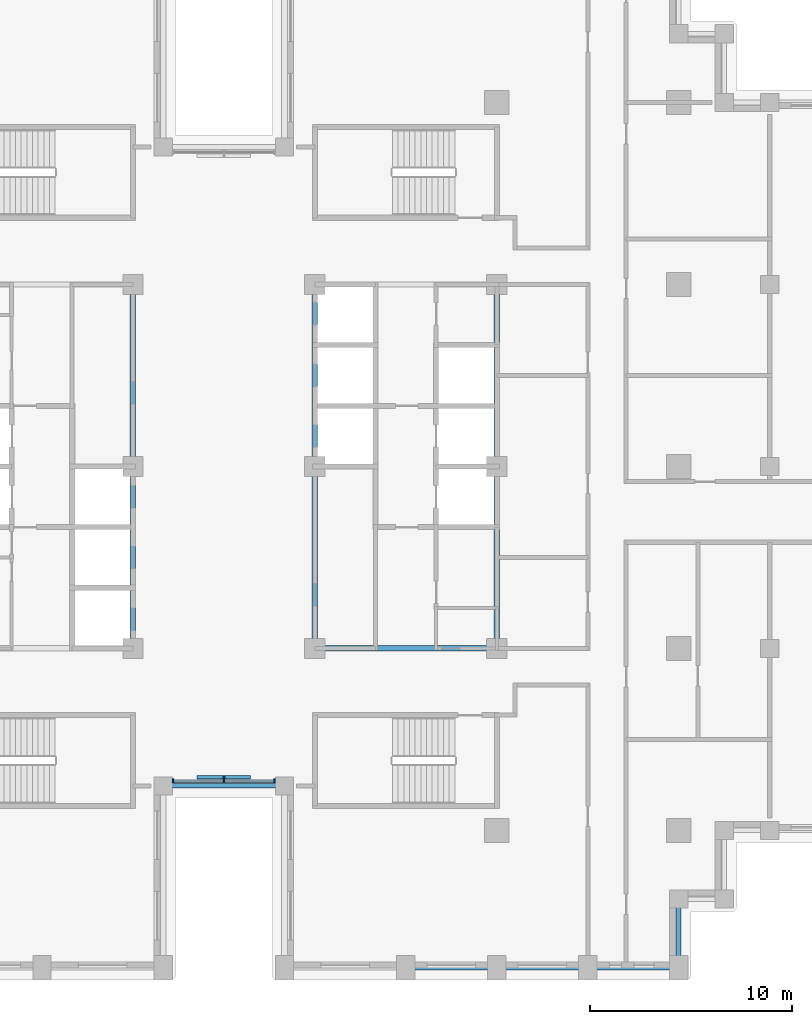
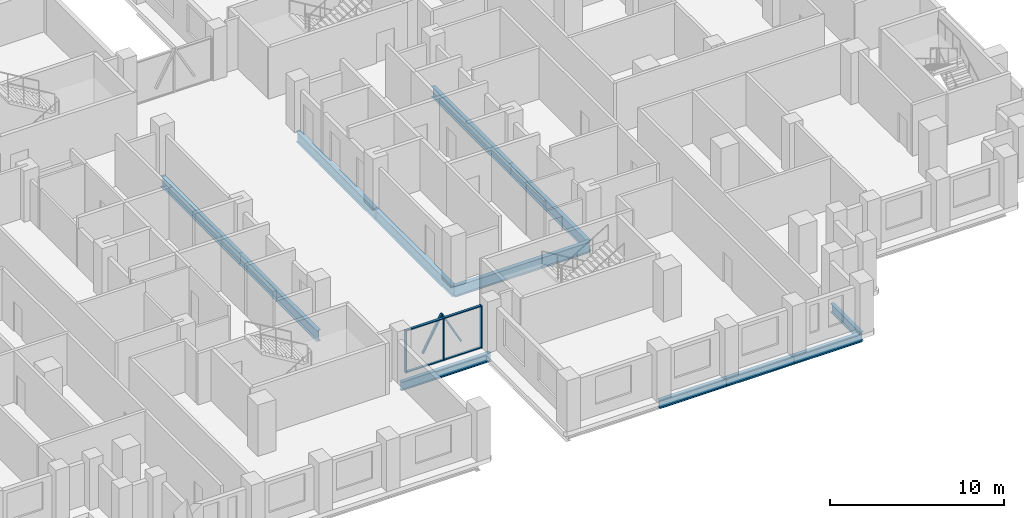
# One storey, part 2 of 16: 12 beams, 9 members, 1 element without a shape of its own.
"""IFC4 building model written with IfcOpenShell, lengths in metres."""

from ifc_helpers import new_model, si_unit, direction, frame, origin, origin_2d, place, context, subcontext, project, spatial, rectangle, i_section, extrude, material, layer, layer_set, material_profile, profile_set, type_object, element, aggregate, save


model = new_model("IFC4")

# Units and contexts
model_context = context("Model", 3, precision=1e-05, world=origin(), true_north=direction((0.0, 1.0)))
body_context = subcontext(model_context, "Body", "Model", "MODEL_VIEW")
ifc_project = project(units=[si_unit("LENGTHUNIT", "METRE"), si_unit("AREAUNIT", "SQUARE_METRE"), si_unit("VOLUMEUNIT", "CUBIC_METRE"), si_unit("PLANEANGLEUNIT", "RADIAN"), si_unit("MASSUNIT", "GRAM", prefix="KILO")], contexts=[model_context])

# Site, building, storey
site_placement = place(None, origin())
site = spatial("IfcSite", under=ifc_project, at=site_placement, CompositionType="ELEMENT")
building_placement = place(site_placement, origin())
building = spatial("IfcBuilding", under=site, at=building_placement, Name="Corbelhall Arena Tower", CompositionType="ELEMENT")
storey_placement = place(building_placement, frame((0.0, 0.0, 116.0)))
storey = spatial("IfcBuildingStorey", under=building, at=storey_placement, Name="L21", CompositionType="ELEMENT", Elevation=116.0)

# Curtain wall, members
ifc_material_1 = material(Name="Aluminium black anodised", Category="aluminium")
ifc_layer = layer(ifc_material_1, 0.199951171875)
ifc_layer_set = layer_set([ifc_layer], Name="EV-CW1 Slot back wall")
curtain_wall_type = type_object("IfcCurtainWallType", Name="EV-CW1 Slot back wall", PredefinedType="NOTDEFINED", material=ifc_layer_set)
curtain_wall_placement = place(storey_placement, origin())
curtain_wall = element("IfcCurtainWall", 1, at=curtain_wall_placement, inside=storey, type_object=curtain_wall_type, Name="Curtain wall CW1", PredefinedType="NOTDEFINED")
ifc_material_profile_1 = material_profile(ifc_material_1, rectangle(XDim=0.199951171875, YDim=0.074951171875, at=origin_2d()))
ifc_profile_set_1 = profile_set([ifc_material_profile_1], Name="Aluminium black anodised")
member_type_1 = type_object("IfcMemberType", Name="EV-CW1-MULLION", PredefinedType="MULLION", material=ifc_profile_set_1)
member_1_placement = place(storey_placement, frame((-2.512451171875, -15.550048828125, 0.0), z_axis=(0.0, 0.0, 1.0), x_axis=(0.0, 1.0, 0.0)))
member_1 = element("IfcMember", 2, at=member_1_placement, type_object=member_type_1, Name="CW1 mullion 1", PredefinedType="MULLION", context=body_context, shape_type="SweptSolid", body=[
    extrude(rectangle(XDim=0.199951171875, YDim=0.074951171875, at=origin_2d()), origin(), (0.0, 0.0, 1.0), 2.99951171875),
])
member_2_placement = place(storey_placement, frame((0.0, -15.550048828125, 0.0), z_axis=(0.0, 0.0, 1.0), x_axis=(0.0, 1.0, 0.0)))
member_2 = element("IfcMember", 3, at=member_2_placement, type_object=member_type_1, Name="CW1 mullion 2", PredefinedType="MULLION", context=body_context, shape_type="SweptSolid", body=[
    extrude(rectangle(XDim=0.199951171875, YDim=0.074951171875, at=origin_2d()), origin(), (0.0, 0.0, 1.0), 2.99951171875),
])
member_3_placement = place(storey_placement, frame((2.512451171875, -15.550048828125, 0.0), z_axis=(0.0, 0.0, 1.0), x_axis=(0.0, 1.0, 0.0)))
member_3 = element("IfcMember", 4, at=member_3_placement, type_object=member_type_1, Name="CW1 mullion 3", PredefinedType="MULLION", context=body_context, shape_type="SweptSolid", body=[
    extrude(rectangle(XDim=0.199951171875, YDim=0.074951171875, at=origin_2d()), origin(), (0.0, 0.0, 1.0), 2.99951171875),
])
ifc_material_profile_2 = material_profile(ifc_material_1, rectangle(XDim=0.14990234375, YDim=0.074951171875, at=origin_2d()))
ifc_profile_set_2 = profile_set([ifc_material_profile_2], Name="Aluminium black anodised")
member_type_2 = type_object("IfcMemberType", Name="EV-CW1-TRANSOM", PredefinedType="USERDEFINED", material=ifc_profile_set_2)
member_4_placement = place(storey_placement, frame((-2.47509765625, -15.550048828125, 0.03759765625), z_axis=(1.0, 0.0, 0.0), x_axis=(0.0, 1.0, 0.0)))
member_4 = element("IfcMember", 5, at=member_4_placement, type_object=member_type_2, Name="CW1 transom 1.1", ObjectType="transom", PredefinedType="USERDEFINED", context=body_context, shape_type="SweptSolid", body=[
    extrude(rectangle(XDim=0.14990234375, YDim=0.074951171875, at=origin_2d()), origin(), (0.0, 0.0, 1.0), 2.4375),
])
member_5_placement = place(storey_placement, frame((-2.47509765625, -15.550048828125, 2.962158203125), z_axis=(1.0, 0.0, 0.0), x_axis=(0.0, 1.0, 0.0)))
member_5 = element("IfcMember", 6, at=member_5_placement, type_object=member_type_2, Name="CW1 transom 1.2", ObjectType="transom", PredefinedType="USERDEFINED", context=body_context, shape_type="SweptSolid", body=[
    extrude(rectangle(XDim=0.14990234375, YDim=0.074951171875, at=origin_2d()), origin(), (0.0, 0.0, 1.0), 2.4375),
])
member_6_placement = place(storey_placement, frame((0.03759765625, -15.550048828125, 0.03759765625), z_axis=(1.0, 0.0, 0.0), x_axis=(0.0, 1.0, 0.0)))
member_6 = element("IfcMember", 7, at=member_6_placement, type_object=member_type_2, Name="CW1 transom 2.1", ObjectType="transom", PredefinedType="USERDEFINED", context=body_context, shape_type="SweptSolid", body=[
    extrude(rectangle(XDim=0.14990234375, YDim=0.074951171875, at=origin_2d()), origin(), (0.0, 0.0, 1.0), 2.4375),
])
member_7_placement = place(storey_placement, frame((0.03759765625, -15.550048828125, 2.962158203125), z_axis=(1.0, 0.0, 0.0), x_axis=(0.0, 1.0, 0.0)))
member_7 = element("IfcMember", 8, at=member_7_placement, type_object=member_type_2, Name="CW1 transom 2.2", ObjectType="transom", PredefinedType="USERDEFINED", context=body_context, shape_type="SweptSolid", body=[
    extrude(rectangle(XDim=0.14990234375, YDim=0.074951171875, at=origin_2d()), origin(), (0.0, 0.0, 1.0), 2.4375),
])
aggregate(curtain_wall, [member_1, member_2, member_3, member_4, member_5, member_6, member_7])

# Members
ifc_material_profile_3 = material_profile(ifc_material_1, rectangle(XDim=0.159912109375, YDim=0.10009765625, at=origin_2d()))
ifc_profile_set_3 = profile_set([ifc_material_profile_3], Name="Aluminium black anodised")
member_type_3 = type_object("IfcMemberType", Name="EV-TR1 Tracery bar", PredefinedType="USERDEFINED", material=ifc_profile_set_3)
for number, where, z_axis, x_axis, name in (
    (9, (-1.27490234375, -15.3701171875, 0.807373046875), (0.478030960994, 0.0, 0.878342985588), (0.0, 1.0, 0.0), "Tracery bar"),
    (10, (0.0, -15.3701171875, 3.14990234375), (0.478030960994, 0.0, -0.878342985588), (0.0, 1.0, 0.0), "Tracery bar"),
):
    element("IfcMember", number, at=place(storey_placement, frame(where, z_axis=z_axis, x_axis=x_axis)), inside=storey, type_object=member_type_3, Name=name, ObjectType="TRACERY", PredefinedType="USERDEFINED", context=body_context, shape_type="SweptSolid", body=[
        extrude(rectangle(XDim=0.159912109375, YDim=0.10009765625, at=origin_2d()), origin(), (0.0, 0.0, 1.0), 2.6669921875),
    ])

# Beams
ifc_material_2 = material(Name="Steel ASTM A992 Gr50", Category="steel")
ifc_material_profile_4 = material_profile(ifc_material_2, i_section(OverallWidth=0.2666015625, OverallDepth=0.761962890625, WebThickness=0.014404296875, FlangeThickness=0.021484375, at=origin_2d()))
ifc_profile_set_4 = profile_set([ifc_material_profile_4], Name="Steel ASTM A992 Gr50")
beam_type_1 = type_object("IfcBeamType", Name="ST-BEAM-W30x116", PredefinedType="BEAM", material=ifc_profile_set_4)
for number, where, z_axis, x_axis, name in (
    (11, (-4.5, -9.0, -0.680908203125), (0.0, 1.0, 0.0), (-1.0, 0.0, 0.0), "Beam CEW 3"),
    (12, (-4.5, 0.0, -0.680908203125), (0.0, 1.0, 0.0), (-1.0, 0.0, 0.0), "Beam CEW 4"),
    (13, (4.5, -9.0, -0.680908203125), (0.0, 1.0, 0.0), (-1.0, 0.0, 0.0), "Beam CEE 7"),
    (14, (4.5, 0.0, -0.680908203125), (0.0, 1.0, 0.0), (-1.0, 0.0, 0.0), "Beam CEE 8"),
    (15, (13.5, -9.0, -0.680908203125), (0.0, 1.0, 0.0), (-1.0, 0.0, 0.0), "Beam CEE 9"),
    (16, (13.5, 0.0, -0.680908203125), (0.0, 1.0, 0.0), (-1.0, 0.0, 0.0), "Beam CEE 10"),
    (17, (4.5, -9.0, -0.680908203125), (1.0, 0.0, 0.0), (0.0, 1.0, 0.0), "Beam CEE 11"),
):
    element("IfcBeam", number, at=place(storey_placement, frame(where, z_axis=z_axis, x_axis=x_axis)), inside=storey, type_object=beam_type_1, Name=name, PredefinedType="BEAM", context=body_context, shape_type="SweptSolid", body=[
        extrude(i_section(OverallWidth=0.2666015625, OverallDepth=0.761962890625, WebThickness=0.014404296875, FlangeThickness=0.021484375, at=origin_2d()), origin(), (0.0, 0.0, 1.0), 9.0),
    ])
ifc_material_profile_5 = material_profile(ifc_material_2, i_section(OverallWidth=0.23046875, OverallDepth=0.6171875, WebThickness=0.01318359375, FlangeThickness=0.022216796875, at=origin_2d()))
ifc_profile_set_5 = profile_set([ifc_material_profile_5], Name="Steel ASTM A992 Gr50")
beam_type_2 = type_object("IfcBeamType", Name="ST-SPANDREL-W24x94", PredefinedType="SPANDREL", material=ifc_profile_set_5)
for number, where, z_axis, x_axis, name in (
    (18, (13.5, -24.800048828125, -0.608642578125), (-1.0, 0.0, 0.0), (0.0, -1.0, 0.0), "Beam SP 29"),
    (19, (18.0, -24.800048828125, -0.608642578125), (-1.0, 0.0, 0.0), (0.0, -1.0, 0.0), "Beam SP 30"),
    (20, (22.5, -24.800048828125, -0.608642578125), (-1.0, 0.0, 0.0), (0.0, -1.0, 0.0), "Beam SP 31"),
):
    element("IfcBeam", number, at=place(storey_placement, frame(where, z_axis=z_axis, x_axis=x_axis)), inside=storey, type_object=beam_type_2, Name=name, PredefinedType="SPANDREL", context=body_context, shape_type="SweptSolid", body=[
        extrude(i_section(OverallWidth=0.23046875, OverallDepth=0.6171875, WebThickness=0.01318359375, FlangeThickness=0.022216796875, at=origin_2d()), origin(), (0.0, 0.0, 1.0), 4.5),
    ])
beam_1_placement = place(storey_placement, frame((3.0, -15.800048828125, -0.608642578125), z_axis=(-1.0, 0.0, 0.0), x_axis=(0.0, -1.0, 0.0)))
element("IfcBeam", 21, at=beam_1_placement, inside=storey, type_object=beam_type_2, Name="Beam SP 41", PredefinedType="SPANDREL", context=body_context, shape_type="SweptSolid", body=[
    extrude(i_section(OverallWidth=0.23046875, OverallDepth=0.6171875, WebThickness=0.01318359375, FlangeThickness=0.022216796875, at=origin_2d()), origin(), (0.0, 0.0, 1.0), 6.0),
])
beam_2_placement = place(storey_placement, frame((22.5, -21.39990234375, -0.608642578125), z_axis=(0.0, -1.0, 0.0), x_axis=(1.0, 0.0, 0.0)))
element("IfcBeam", 22, at=beam_2_placement, inside=storey, type_object=beam_type_2, Name="Beam SP 49", PredefinedType="SPANDREL", context=body_context, shape_type="SweptSolid", body=[
    extrude(i_section(OverallWidth=0.23046875, OverallDepth=0.6171875, WebThickness=0.01318359375, FlangeThickness=0.022216796875, at=origin_2d()), origin(), (0.0, 0.0, 1.0), 3.400146484375),
])

save(model, "model.ifc")
